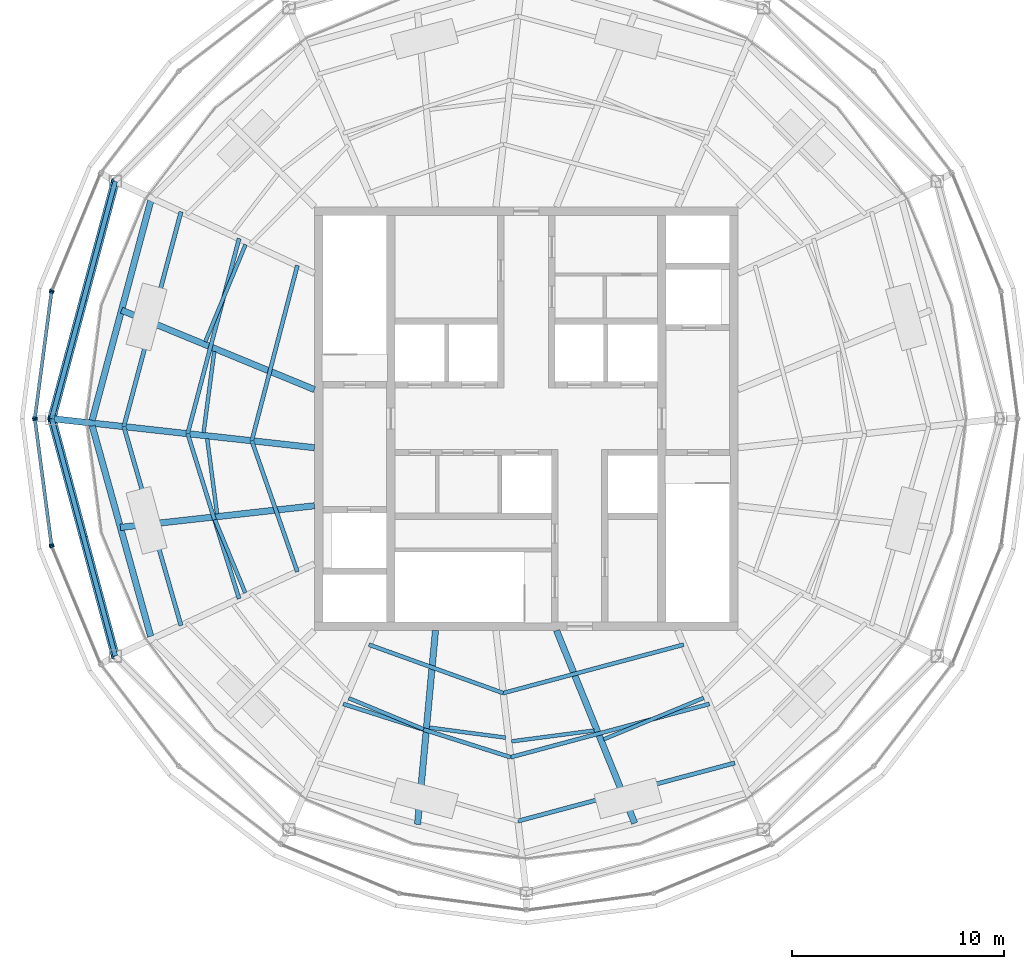
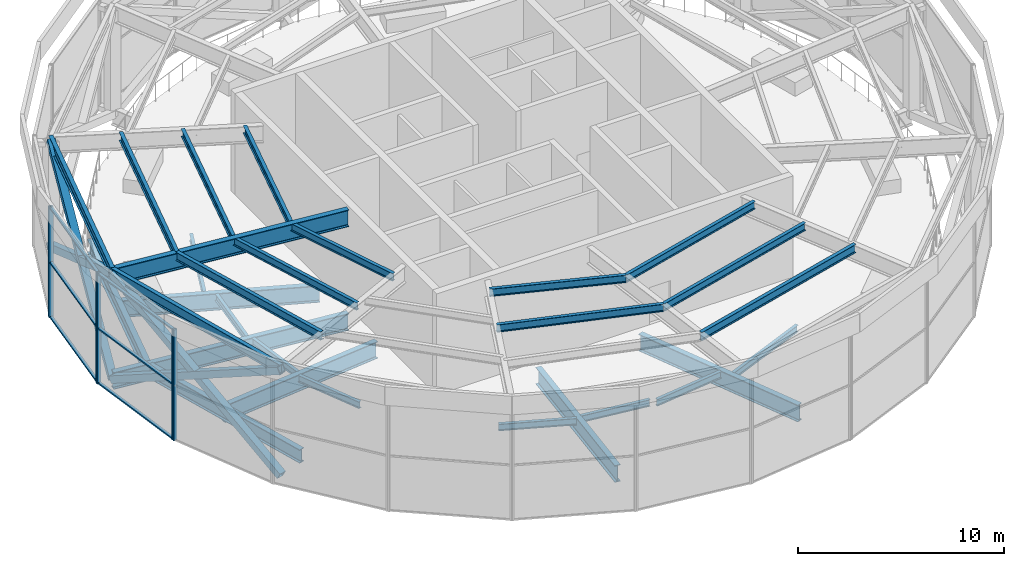
# One storey, part 3 of 13: 27 members, 18 beams, 4 elements without a shape of their own.
"""IFC4 building model written with IfcOpenShell, lengths in metres."""

from ifc_helpers import new_model, si_unit, direction, frame, origin, origin_2d, place, context, subcontext, project, spatial, rectangle, hollow_rectangle, i_section, extrude, material, material_profile, profile_set, type_object, element, aggregate, save


model = new_model("IFC4")

# Units and contexts
model_context = context("Model", 3, precision=1e-05, world=origin(), true_north=direction((0.0, 1.0)))
body_context = subcontext(model_context, "Body", "Model", "MODEL_VIEW")
ifc_project = project(units=[si_unit("LENGTHUNIT", "METRE"), si_unit("AREAUNIT", "SQUARE_METRE"), si_unit("VOLUMEUNIT", "CUBIC_METRE"), si_unit("PLANEANGLEUNIT", "RADIAN"), si_unit("MASSUNIT", "GRAM", prefix="KILO")], contexts=[model_context])

# Site, building, storey
site_placement = place(None, origin())
site = spatial("IfcSite", under=ifc_project, at=site_placement, CompositionType="ELEMENT")
building_placement = place(site_placement, origin())
building = spatial("IfcBuilding", under=site, at=building_placement, Name="Golbaran Civic Tower", CompositionType="ELEMENT")
storey_placement = place(building_placement, frame((0.0, 0.0, 284.0)))
storey = spatial("IfcBuildingStorey", under=building, at=storey_placement, Name="L69", CompositionType="ELEMENT", Elevation=284.0)

# Members
ifc_material_1 = material(Name="Steel S355", Category="steel")
ifc_material_profile_1 = material_profile(ifc_material_1, hollow_rectangle(XDim=0.39990234375, YDim=0.39990234375, WallThickness=0.030029296875, at=origin_2d()), Name="BOX 400x400x30")
ifc_profile_set_1 = profile_set([ifc_material_profile_1], Name="Steel S355")
member_type_1 = type_object("IfcMemberType", Name="CROWN FRAME BRACE BOX 400x400x30", PredefinedType="BRACE", material=ifc_profile_set_1)
for number, where, z_axis, x_axis, name in (
    (1, (-19.39892578125, 11.199951171875, -0.7099609375), (-0.227744086126, -0.849964200377, 0.475072088542), (0.965926716951, -0.258815721085, 0.0), "Crown frame brace 6A"),
    (2, (-22.39990234375, 0.0, -0.7099609375), (0.227744086126, 0.849964200377, 0.475072088542), (-0.965926716951, 0.258815721085, 0.0), "Crown frame brace 6B"),
    (3, (-22.39990234375, 0.0, -0.7099609375), (0.227744086126, -0.849964200377, 0.475072088542), (0.965926716951, 0.258815721085, 0.0), "Crown frame brace 7A"),
    (4, (-19.39892578125, -11.199951171875, -0.7099609375), (-0.227744086126, 0.849964200377, 0.475072088542), (-0.965926716951, -0.258815721085, 0.0), "Crown frame brace 7B"),
):
    element("IfcMember", number, at=place(storey_placement, frame(where, z_axis=z_axis, x_axis=x_axis)), inside=storey, type_object=member_type_1, Name=name, PredefinedType="BRACE", context=body_context, shape_type="SweptSolid", body=[
        extrude(hollow_rectangle(XDim=0.39990234375, YDim=0.39990234375, WallThickness=0.030029296875, at=origin_2d()), origin(), (0.0, 0.0, 1.0), 13.177001953125),
    ])
ifc_material_profile_2 = material_profile(ifc_material_1, i_section(OverallWidth=0.18994140625, OverallDepth=0.449951171875, WebThickness=0.009521484375, FlangeThickness=0.0146484375, FilletRadius=0.02099609375, at=origin_2d()), Name="IPE 450")
ifc_profile_set_2 = profile_set([ifc_material_profile_2], Name="Steel S355")
member_type_2 = type_object("IfcMemberType", Name="CROWN FRAME CANOPY PURLIN IPE 450", PredefinedType="PURLIN", material=ifc_profile_set_2)
member_1_placement = place(storey_placement, frame((-10.8046875, 7.22900390625, 5.625), z_axis=(-0.251884758859, -0.967757236219, 0.0), x_axis=(0.967757236219, -0.251884758859, 0.0)))
element("IfcMember", 5, at=member_1_placement, inside=storey, type_object=member_type_2, Name="Canopy purlin 6-1", PredefinedType="PURLIN", context=body_context, shape_type="SweptSolid", body=[
    extrude(i_section(OverallWidth=0.18994140625, OverallDepth=0.449951171875, WebThickness=0.009521484375, FlangeThickness=0.0146484375, FilletRadius=0.02099609375, at=origin_2d()), origin(), (0.0, 0.0, 1.0), 8.548828125),
])
member_2_placement = place(storey_placement, frame((-13.555419921875, 8.5, 5.625), z_axis=(-0.255024451982, -0.966934604248, 0.0), x_axis=(0.966934604248, -0.255024451982, 0.0)))
element("IfcMember", 6, at=member_2_placement, inside=storey, type_object=member_type_2, Name="Canopy purlin 6-2", PredefinedType="PURLIN", context=body_context, shape_type="SweptSolid", body=[
    extrude(i_section(OverallWidth=0.18994140625, OverallDepth=0.449951171875, WebThickness=0.009521484375, FlangeThickness=0.0146484375, FilletRadius=0.02099609375, at=origin_2d()), origin(), (0.0, 0.0, 1.0), 9.5244140625),
])
member_3_placement = place(storey_placement, frame((-12.9580078125, -1.044189453125, 5.625), z_axis=(0.328804008774, -0.944398180756, 0.0), x_axis=(0.944398180756, 0.328804008774, 0.0)))
element("IfcMember", 7, at=member_3_placement, inside=storey, type_object=member_type_2, Name="Canopy purlin 7-1", PredefinedType="PURLIN", context=body_context, shape_type="SweptSolid", body=[
    extrude(i_section(OverallWidth=0.18994140625, OverallDepth=0.449951171875, WebThickness=0.009521484375, FlangeThickness=0.0146484375, FilletRadius=0.02099609375, at=origin_2d()), origin(), (0.0, 0.0, 1.0), 6.548828125),
])
member_4_placement = place(storey_placement, frame((-15.984375, -0.70947265625, 5.625), z_axis=(0.297651448365, -0.954674612256, 0.0), x_axis=(0.954674612256, 0.297651448365, 0.0)))
element("IfcMember", 8, at=member_4_placement, inside=storey, type_object=member_type_2, Name="Canopy purlin 7-2", PredefinedType="PURLIN", context=body_context, shape_type="SweptSolid", body=[
    extrude(i_section(OverallWidth=0.18994140625, OverallDepth=0.449951171875, WebThickness=0.009521484375, FlangeThickness=0.0146484375, FilletRadius=0.02099609375, at=origin_2d()), origin(), (0.0, 0.0, 1.0), 8.160400390625),
])
member_5_placement = place(storey_placement, frame((-7.4306640625, -10.6669921875, 5.625), z_axis=(0.940696160184, -0.33925025308, 0.0), x_axis=(0.33925025308, 0.940696160184, 0.0)))
element("IfcMember", 9, at=member_5_placement, inside=storey, type_object=member_type_2, Name="Canopy purlin 9-1", PredefinedType="PURLIN", context=body_context, shape_type="SweptSolid", body=[
    extrude(i_section(OverallWidth=0.18994140625, OverallDepth=0.449951171875, WebThickness=0.009521484375, FlangeThickness=0.0146484375, FilletRadius=0.02099609375, at=origin_2d()), origin(), (0.0, 0.0, 1.0), 6.742431640625),
])
member_6_placement = place(storey_placement, frame((-8.639404296875, -13.467041015625, 5.625), z_axis=(0.952849565488, -0.303443084531, 0.0), x_axis=(0.303443084531, 0.952849565488, 0.0)))
element("IfcMember", 10, at=member_6_placement, inside=storey, type_object=member_type_2, Name="Canopy purlin 9-2", PredefinedType="PURLIN", context=body_context, shape_type="SweptSolid", body=[
    extrude(i_section(OverallWidth=0.18994140625, OverallDepth=0.449951171875, WebThickness=0.009521484375, FlangeThickness=0.0146484375, FilletRadius=0.02099609375, at=origin_2d()), origin(), (0.0, 0.0, 1.0), 8.291015625),
])
member_7_placement = place(storey_placement, frame((-1.088134765625, -12.954345703125, 5.625), z_axis=(0.965791116382, 0.259321266999, 0.0), x_axis=(-0.259321266999, 0.965791116382, 0.0)))
element("IfcMember", 11, at=member_7_placement, inside=storey, type_object=member_type_2, Name="Canopy purlin 10-1", PredefinedType="PURLIN", context=body_context, shape_type="SweptSolid", body=[
    extrude(i_section(OverallWidth=0.18994140625, OverallDepth=0.449951171875, WebThickness=0.009521484375, FlangeThickness=0.0146484375, FilletRadius=0.02099609375, at=origin_2d()), origin(), (0.0, 0.0, 1.0), 8.820556640625),
])
member_8_placement = place(storey_placement, frame((-0.7392578125, -15.98291015625, 5.625), z_axis=(0.965852045337, 0.259094242541, 0.0), x_axis=(-0.259094242541, 0.965852045337, 0.0)))
element("IfcMember", 12, at=member_8_placement, inside=storey, type_object=member_type_2, Name="Canopy purlin 10-2", PredefinedType="PURLIN", context=body_context, shape_type="SweptSolid", body=[
    extrude(i_section(OverallWidth=0.18994140625, OverallDepth=0.449951171875, WebThickness=0.009521484375, FlangeThickness=0.0146484375, FilletRadius=0.02099609375, at=origin_2d()), origin(), (0.0, 0.0, 1.0), 9.710205078125),
])
ifc_material_profile_3 = material_profile(ifc_material_1, i_section(OverallWidth=0.199951171875, OverallDepth=0.5, WebThickness=0.01025390625, FlangeThickness=0.01611328125, FilletRadius=0.02099609375, at=origin_2d()), Name="IPE 500")
ifc_profile_set_3 = profile_set([ifc_material_profile_3], Name="Steel S355")
member_type_3 = type_object("IfcMemberType", Name="CROWN FRAME CANOPY PURLIN IPE 500", PredefinedType="PURLIN", material=ifc_profile_set_3)
member_9_placement = place(storey_placement, frame((-16.29736328125, 9.766845703125, 5.60009765625), z_axis=(-0.25713709538, -0.966374934577, 0.0), x_axis=(0.966374934577, -0.25713709538, 0.0)))
element("IfcMember", 13, at=member_9_placement, inside=storey, type_object=member_type_3, Name="Canopy purlin 6-3", PredefinedType="PURLIN", context=body_context, shape_type="SweptSolid", body=[
    extrude(i_section(OverallWidth=0.199951171875, OverallDepth=0.5, WebThickness=0.01025390625, FlangeThickness=0.01611328125, FilletRadius=0.02099609375, at=origin_2d()), origin(), (0.0, 0.0, 1.0), 10.496337890625),
])
member_10_placement = place(storey_placement, frame((-18.996337890625, -0.37646484375, 5.60009765625), z_axis=(0.276235588519, -0.961089953977, 0.0), x_axis=(0.961089953977, 0.276235588519, 0.0)))
element("IfcMember", 14, at=member_10_placement, inside=storey, type_object=member_type_3, Name="Canopy purlin 7-3", PredefinedType="PURLIN", context=body_context, shape_type="SweptSolid", body=[
    extrude(i_section(OverallWidth=0.199951171875, OverallDepth=0.5, WebThickness=0.01025390625, FlangeThickness=0.01611328125, FilletRadius=0.02099609375, at=origin_2d()), origin(), (0.0, 0.0, 1.0), 9.7705078125),
])
member_11_placement = place(storey_placement, frame((-0.39208984375, -18.995849609375, 5.60009765625), z_axis=(0.965896407704, 0.258928811808, 0.0), x_axis=(-0.258928811808, 0.965896407704, 0.0)))
element("IfcMember", 15, at=member_11_placement, inside=storey, type_object=member_type_3, Name="Canopy purlin 10-3", PredefinedType="PURLIN", context=body_context, shape_type="SweptSolid", body=[
    extrude(i_section(OverallWidth=0.199951171875, OverallDepth=0.5, WebThickness=0.01025390625, FlangeThickness=0.01611328125, FilletRadius=0.02099609375, at=origin_2d()), origin(), (0.0, 0.0, 1.0), 10.59521484375),
])

# Beams
ifc_material_profile_4 = material_profile(ifc_material_1, i_section(OverallWidth=0.300048828125, OverallDepth=1.0, WebThickness=0.01904296875, FlangeThickness=0.035888671875, FilletRadius=0.030029296875, at=origin_2d()), Name="HEB 1000")
ifc_profile_set_4 = profile_set([ifc_material_profile_4], Name="Steel S355")
beam_type_1 = type_object("IfcBeamType", Name="CROWN FRAME CANOPY RADIAL BEAM HEB 1000", PredefinedType="BEAM", material=ifc_profile_set_4)
beam_1_placement = place(storey_placement, frame((-10.0, -1.371337890625, 5.35009765625), z_axis=(-0.993940165239, 0.109922463244, 0.0), x_axis=(-0.109922463244, -0.993940165239, 0.0)))
element("IfcBeam", 16, at=beam_1_placement, inside=storey, type_object=beam_type_1, Name="Canopy radial beam 7", PredefinedType="BEAM", context=body_context, shape_type="SweptSolid", body=[
    extrude(i_section(OverallWidth=0.300048828125, OverallDepth=1.0, WebThickness=0.01904296875, FlangeThickness=0.035888671875, FilletRadius=0.030029296875, at=origin_2d()), origin(), (0.0, 0.0, 1.0), 12.4755859375),
])
ifc_material_profile_5 = material_profile(ifc_material_1, i_section(OverallWidth=0.219970703125, OverallDepth=0.60009765625, WebThickness=0.011962890625, FlangeThickness=0.01904296875, FilletRadius=0.02392578125, at=origin_2d()), Name="IPE 600")
ifc_profile_set_5 = profile_set([ifc_material_profile_5], Name="Steel S355")
beam_type_2 = type_object("IfcBeamType", Name="CROWN FRAME CANOPY RING BEAM IPE 600", PredefinedType="BEAM", material=ifc_profile_set_5)
for number, where, z_axis, x_axis, name in (
    (17, (-19.39892578125, 11.199951171875, 5.550048828125), (-0.258815721085, -0.965926716951, 0.0), (0.965926716951, -0.258815721085, 0.0), "Canopy ring beam 6"),
    (18, (-22.39990234375, 0.0, 5.550048828125), (0.258815721085, -0.965926716951, 0.0), (0.965926716951, 0.258815721085, 0.0), "Canopy ring beam 7"),
):
    element("IfcBeam", number, at=place(storey_placement, frame(where, z_axis=z_axis, x_axis=x_axis)), inside=storey, type_object=beam_type_2, Name=name, PredefinedType="BEAM", context=body_context, shape_type="SweptSolid", body=[
        extrude(i_section(OverallWidth=0.219970703125, OverallDepth=0.60009765625, WebThickness=0.011962890625, FlangeThickness=0.01904296875, FilletRadius=0.02392578125, at=origin_2d()), origin(), (0.0, 0.0, 1.0), 11.594970703125),
    ])
ifc_material_profile_6 = material_profile(ifc_material_1, i_section(OverallWidth=0.300048828125, OverallDepth=0.800048828125, WebThickness=0.017578125, FlangeThickness=0.032958984375, FilletRadius=0.030029296875, at=origin_2d()), Name="HEB 800")
ifc_profile_set_6 = profile_set([ifc_material_profile_6], Name="Steel S355")
beam_type_3 = type_object("IfcBeamType", Name="EDGE BEAM HEB 800", PredefinedType="BEAM", material=ifc_profile_set_6)
beam_2_placement = place(storey_placement, frame((-17.725830078125, 10.28369140625, -0.699951171875), z_axis=(-0.257960121844, -0.966155564875, 0.0), x_axis=(0.966155564875, -0.257960121844, 0.0)))
element("IfcBeam", 19, at=beam_2_placement, inside=storey, type_object=beam_type_3, Name="Edge beam 150.00 L69", PredefinedType="BEAM", context=body_context, shape_type="SweptSolid", body=[
    extrude(i_section(OverallWidth=0.300048828125, OverallDepth=0.800048828125, WebThickness=0.017578125, FlangeThickness=0.032958984375, FilletRadius=0.030029296875, at=origin_2d()), origin(), (0.0, 0.0, 1.0), 10.726806640625),
])
beam_3_placement = place(storey_placement, frame((-20.4892578125, -0.342041015625, -0.699951171875), z_axis=(0.267689014056, -0.963505366749, 0.0), x_axis=(0.963505366749, 0.267689014056, 0.0)))
element("IfcBeam", 20, at=beam_3_placement, inside=storey, type_object=beam_type_3, Name="Edge beam 180.00 L69", PredefinedType="BEAM", context=body_context, shape_type="SweptSolid", body=[
    extrude(i_section(OverallWidth=0.300048828125, OverallDepth=0.800048828125, WebThickness=0.017578125, FlangeThickness=0.032958984375, FilletRadius=0.030029296875, at=origin_2d()), origin(), (0.0, 0.0, 1.0), 10.318603515625),
])
ifc_material_profile_7 = material_profile(ifc_material_1, i_section(OverallWidth=0.179931640625, OverallDepth=0.39990234375, WebThickness=0.008544921875, FlangeThickness=0.013427734375, FilletRadius=0.02099609375, at=origin_2d()), Name="IPE 400")
ifc_profile_set_7 = profile_set([ifc_material_profile_7], Name="Steel S355")
beam_type_4 = type_object("IfcBeamType", Name="FLOOR INFILL BEAM IPE 400", PredefinedType="BEAM", material=ifc_profile_set_7)
beam_4_placement = place(storey_placement, frame((-13.252197265625, 8.216552734375, -0.5), z_axis=(-0.382696532812, -0.923874106019, 0.0), x_axis=(0.923874106019, -0.382696532812, 0.0)))
element("IfcBeam", 21, at=beam_4_placement, inside=storey, type_object=beam_type_4, Name="Infill beam 157.50 L69", PredefinedType="BEAM", context=body_context, shape_type="SweptSolid", body=[
    extrude(i_section(OverallWidth=0.179931640625, OverallDepth=0.39990234375, WebThickness=0.008544921875, FlangeThickness=0.013427734375, FilletRadius=0.02099609375, at=origin_2d()), origin(), (0.0, 0.0, 1.0), 4.9619140625),
])
beam_5_placement = place(storey_placement, frame((-14.72802734375, 3.177001953125, -0.5), z_axis=(-0.130519754353, -0.991445708914, 0.0), x_axis=(0.991445708914, -0.130519754353, 0.0)))
element("IfcBeam", 22, at=beam_5_placement, inside=storey, type_object=beam_type_4, Name="Infill beam 172.50 L69", PredefinedType="BEAM", context=body_context, shape_type="SweptSolid", body=[
    extrude(i_section(OverallWidth=0.179931640625, OverallDepth=0.39990234375, WebThickness=0.008544921875, FlangeThickness=0.013427734375, FilletRadius=0.02099609375, at=origin_2d()), origin(), (0.0, 0.0, 1.0), 3.8720703125),
])
beam_6_placement = place(storey_placement, frame((-15.063720703125, -0.942138671875, -0.5), z_axis=(0.130539107774, -0.991443160923, 0.0), x_axis=(0.991443160923, 0.130539107774, 0.0)))
element("IfcBeam", 23, at=beam_6_placement, inside=storey, type_object=beam_type_4, Name="Infill beam 187.50 L69", PredefinedType="BEAM", context=body_context, shape_type="SweptSolid", body=[
    extrude(i_section(OverallWidth=0.179931640625, OverallDepth=0.39990234375, WebThickness=0.008544921875, FlangeThickness=0.013427734375, FilletRadius=0.02099609375, at=origin_2d()), origin(), (0.0, 0.0, 1.0), 3.58349609375),
])
beam_7_placement = place(storey_placement, frame((-14.696533203125, -4.767822265625, -0.5), z_axis=(0.382709282091, -0.923868824781, 0.0), x_axis=(0.923868824781, 0.382709282091, 0.0)))
element("IfcBeam", 24, at=beam_7_placement, inside=storey, type_object=beam_type_4, Name="Infill beam 202.50 L69", PredefinedType="BEAM", context=body_context, shape_type="SweptSolid", body=[
    extrude(i_section(OverallWidth=0.179931640625, OverallDepth=0.39990234375, WebThickness=0.008544921875, FlangeThickness=0.013427734375, FilletRadius=0.02099609375, at=origin_2d()), origin(), (0.0, 0.0, 1.0), 3.739501953125),
])
beam_8_placement = place(storey_placement, frame((-8.380615234375, -13.195556640625, -0.5), z_axis=(0.92387756648, -0.38268817875, 0.0), x_axis=(0.38268817875, 0.92387756648, 0.0)))
element("IfcBeam", 25, at=beam_8_placement, inside=storey, type_object=beam_type_4, Name="Infill beam 247.50 L69", PredefinedType="BEAM", context=body_context, shape_type="SweptSolid", body=[
    extrude(i_section(OverallWidth=0.179931640625, OverallDepth=0.39990234375, WebThickness=0.008544921875, FlangeThickness=0.013427734375, FilletRadius=0.02099609375, at=origin_2d()), origin(), (0.0, 0.0, 1.0), 3.824462890625),
])
beam_9_placement = place(storey_placement, frame((-4.5791015625, -14.584228515625, -0.5), z_axis=(0.99144194185, -0.130548366293, 0.0), x_axis=(0.130548366293, 0.99144194185, 0.0)))
element("IfcBeam", 26, at=beam_9_placement, inside=storey, type_object=beam_type_4, Name="Infill beam 262.50 L69", PredefinedType="BEAM", context=body_context, shape_type="SweptSolid", body=[
    extrude(i_section(OverallWidth=0.179931640625, OverallDepth=0.39990234375, WebThickness=0.008544921875, FlangeThickness=0.013427734375, FilletRadius=0.02099609375, at=origin_2d()), origin(), (0.0, 0.0, 1.0), 3.633544921875),
])
beam_10_placement = place(storey_placement, frame((-0.694580078125, -15.235107421875, -0.5), z_axis=(0.991442453905, 0.130544477456, 0.0), x_axis=(-0.130544477456, 0.991442453905, 0.0)))
element("IfcBeam", 27, at=beam_10_placement, inside=storey, type_object=beam_type_4, Name="Infill beam 277.50 L69", PredefinedType="BEAM", context=body_context, shape_type="SweptSolid", body=[
    extrude(i_section(OverallWidth=0.179931640625, OverallDepth=0.39990234375, WebThickness=0.008544921875, FlangeThickness=0.013427734375, FilletRadius=0.02099609375, at=origin_2d()), origin(), (0.0, 0.0, 1.0), 3.93115234375),
])
beam_11_placement = place(storey_placement, frame((3.65185546875, -15.137451171875, -0.5), z_axis=(0.923888771461, 0.382661126806, 0.0), x_axis=(-0.382661126806, 0.923888771461, 0.0)))
element("IfcBeam", 28, at=beam_11_placement, inside=storey, type_object=beam_type_4, Name="Infill beam 292.50 L69", PredefinedType="BEAM", context=body_context, shape_type="SweptSolid", body=[
    extrude(i_section(OverallWidth=0.179931640625, OverallDepth=0.39990234375, WebThickness=0.008544921875, FlangeThickness=0.013427734375, FilletRadius=0.02099609375, at=origin_2d()), origin(), (0.0, 0.0, 1.0), 5.11181640625),
])

# Curtain wall, member
ifc_material_2 = material(Name="Aluminium and glass", Category="aluminium")
curtain_wall_type = type_object("IfcCurtainWallType", Name="OUTER SKIN TERRACOTTA SCREEN", PredefinedType="NOTDEFINED", material=ifc_material_2)
curtain_wall_1_placement = place(storey_placement, origin())
curtain_wall_1 = element("IfcCurtainWall", 29, at=curtain_wall_1_placement, inside=storey, type_object=curtain_wall_type, Name="Crown screen L69 facet 11 CW3", ObjectType="OUTER SKIN", PredefinedType="USERDEFINED")
ifc_material_3 = material(Name="Aluminium", Category="aluminium")
ifc_material_profile_8 = material_profile(ifc_material_3, rectangle(XDim=0.219970703125, YDim=0.080078125, at=origin_2d()), Name="OUTER SKIN TERRACOTTA SCREEN MULLION")
ifc_profile_set_8 = profile_set([ifc_material_profile_8], Name="Aluminium")
member_type_4 = type_object("IfcMemberType", Name="OUTER SKIN TERRACOTTA SCREEN MULLION", PredefinedType="MULLION", material=ifc_profile_set_8)
member_12_placement = place(storey_placement, frame((-22.394287109375, 6.04150390625, -0.7099609375), z_axis=(0.0, 0.0, 1.0), x_axis=(0.923879532525, -0.382683432333, 0.0)))
member_12 = element("IfcMember", 30, at=member_12_placement, type_object=member_type_4, Name="CW3 mullion 2", PredefinedType="MULLION", context=body_context, shape_type="SweptSolid", body=[
    extrude(rectangle(XDim=0.219970703125, YDim=0.080078125, at=origin_2d()), origin(), (0.0, 0.0, 1.0), 6.56005859375),
])
aggregate(curtain_wall_1, [member_12])

# Curtain wall, members
curtain_wall_2_placement = place(storey_placement, origin())
curtain_wall_2 = element("IfcCurtainWall", 31, at=curtain_wall_2_placement, inside=storey, type_object=curtain_wall_type, Name="Crown screen L69 facet 12 CW3", ObjectType="OUTER SKIN", PredefinedType="USERDEFINED")
member_13_placement = place(storey_placement, frame((-22.414794921875, 5.96484375, -0.7099609375), z_axis=(0.0, 0.0, 1.0), x_axis=(0.991444861374, -0.13052619222, 0.0)))
member_13 = element("IfcMember", 32, at=member_13_placement, type_object=member_type_4, Name="CW3 mullion 1", PredefinedType="MULLION", context=body_context, shape_type="SweptSolid", body=[
    extrude(rectangle(XDim=0.219970703125, YDim=0.080078125, at=origin_2d()), origin(), (0.0, 0.0, 1.0), 6.56005859375),
])
member_14_placement = place(storey_placement, frame((-23.19482421875, 0.03955078125, -0.7099609375), z_axis=(0.0, 0.0, 1.0), x_axis=(0.991444861374, -0.13052619222, 0.0)))
member_14 = element("IfcMember", 33, at=member_14_placement, type_object=member_type_4, Name="CW3 mullion 2", PredefinedType="MULLION", context=body_context, shape_type="SweptSolid", body=[
    extrude(rectangle(XDim=0.219970703125, YDim=0.080078125, at=origin_2d()), origin(), (0.0, 0.0, 1.0), 6.56005859375),
])

curtain_wall_3_placement = place(storey_placement, origin())
curtain_wall_3 = element("IfcCurtainWall", 34, at=curtain_wall_3_placement, inside=storey, type_object=curtain_wall_type, Name="Crown screen L69 facet 13 CW3", ObjectType="OUTER SKIN", PredefinedType="USERDEFINED")
member_15_placement = place(storey_placement, frame((-23.19482421875, -0.03955078125, -0.7099609375), z_axis=(0.0, 0.0, 1.0), x_axis=(0.991444861374, 0.13052619222, 0.0)))
member_15 = element("IfcMember", 35, at=member_15_placement, type_object=member_type_4, Name="CW3 mullion 1", PredefinedType="MULLION", context=body_context, shape_type="SweptSolid", body=[
    extrude(rectangle(XDim=0.219970703125, YDim=0.080078125, at=origin_2d()), origin(), (0.0, 0.0, 1.0), 6.56005859375),
])
member_16_placement = place(storey_placement, frame((-22.414794921875, -5.96484375, -0.7099609375), z_axis=(0.0, 0.0, 1.0), x_axis=(0.991444861374, 0.13052619222, 0.0)))
member_16 = element("IfcMember", 36, at=member_16_placement, type_object=member_type_4, Name="CW3 mullion 2", PredefinedType="MULLION", context=body_context, shape_type="SweptSolid", body=[
    extrude(rectangle(XDim=0.219970703125, YDim=0.080078125, at=origin_2d()), origin(), (0.0, 0.0, 1.0), 6.56005859375),
])

# Curtain wall, member
curtain_wall_4_placement = place(storey_placement, origin())
curtain_wall_4 = element("IfcCurtainWall", 37, at=curtain_wall_4_placement, inside=storey, type_object=curtain_wall_type, Name="Crown screen L69 facet 14 CW3", ObjectType="OUTER SKIN", PredefinedType="USERDEFINED")
member_17_placement = place(storey_placement, frame((-22.394287109375, -6.04150390625, -0.7099609375), z_axis=(0.0, 0.0, 1.0), x_axis=(0.923879532525, 0.382683432333, 0.0)))
member_17 = element("IfcMember", 38, at=member_17_placement, type_object=member_type_4, Name="CW3 mullion 1", PredefinedType="MULLION", context=body_context, shape_type="SweptSolid", body=[
    extrude(rectangle(XDim=0.219970703125, YDim=0.080078125, at=origin_2d()), origin(), (0.0, 0.0, 1.0), 6.56005859375),
])
aggregate(curtain_wall_4, [member_17])

# Member
ifc_material_profile_9 = material_profile(ifc_material_3, rectangle(XDim=0.159912109375, YDim=0.080078125, at=origin_2d()), Name="OUTER SKIN TERRACOTTA SCREEN TRANSOM")
ifc_profile_set_9 = profile_set([ifc_material_profile_9], Name="Aluminium")
member_type_5 = type_object("IfcMemberType", Name="OUTER SKIN TERRACOTTA SCREEN TRANSOM", PredefinedType="USERDEFINED", material=ifc_profile_set_9)
member_18_placement = place(storey_placement, frame((-22.419921875, 5.92529296875, -0.669921875), z_axis=(-0.130509136774, -0.991447106617, 0.0), x_axis=(0.991447106617, -0.130509136774, 0.0)))
member_18 = element("IfcMember", 39, at=member_18_placement, type_object=member_type_5, Name="CW3 transom 1.1", ObjectType="TRANSOM", PredefinedType="USERDEFINED", context=body_context, shape_type="SweptSolid", body=[
    extrude(rectangle(XDim=0.159912109375, YDim=0.080078125, at=origin_2d()), origin(), (0.0, 0.0, 1.0), 5.896484375),
])

member_19_placement = place(storey_placement, frame((-22.419921875, 5.92529296875, 2.570068359375), z_axis=(-0.130509136774, -0.991447106617, 0.0), x_axis=(0.991447106617, -0.130509136774, 0.0)))
member_19 = element("IfcMember", 40, at=member_19_placement, type_object=member_type_5, Name="CW3 transom 1.2", ObjectType="TRANSOM", PredefinedType="USERDEFINED", context=body_context, shape_type="SweptSolid", body=[
    extrude(rectangle(XDim=0.159912109375, YDim=0.080078125, at=origin_2d()), origin(), (0.0, 0.0, 1.0), 5.896484375),
])

member_20_placement = place(storey_placement, frame((-22.419921875, 5.92529296875, 5.81005859375), z_axis=(-0.130509136774, -0.991447106617, 0.0), x_axis=(0.991447106617, -0.130509136774, 0.0)))
member_20 = element("IfcMember", 41, at=member_20_placement, type_object=member_type_5, Name="CW3 transom 1.3", ObjectType="TRANSOM", PredefinedType="USERDEFINED", context=body_context, shape_type="SweptSolid", body=[
    extrude(rectangle(XDim=0.159912109375, YDim=0.080078125, at=origin_2d()), origin(), (0.0, 0.0, 1.0), 5.896484375),
])

aggregate(curtain_wall_2, [member_13, member_14, member_18, member_19, member_20])

member_21_placement = place(storey_placement, frame((-23.189453125, -0.079345703125, -0.669921875), z_axis=(0.130509136774, -0.991447106617, 0.0), x_axis=(0.991447106617, 0.130509136774, 0.0)))
member_21 = element("IfcMember", 42, at=member_21_placement, type_object=member_type_5, Name="CW3 transom 1.1", ObjectType="TRANSOM", PredefinedType="USERDEFINED", context=body_context, shape_type="SweptSolid", body=[
    extrude(rectangle(XDim=0.159912109375, YDim=0.080078125, at=origin_2d()), origin(), (0.0, 0.0, 1.0), 5.896484375),
])

member_22_placement = place(storey_placement, frame((-23.189453125, -0.079345703125, 2.570068359375), z_axis=(0.130509136774, -0.991447106617, 0.0), x_axis=(0.991447106617, 0.130509136774, 0.0)))
member_22 = element("IfcMember", 43, at=member_22_placement, type_object=member_type_5, Name="CW3 transom 1.2", ObjectType="TRANSOM", PredefinedType="USERDEFINED", context=body_context, shape_type="SweptSolid", body=[
    extrude(rectangle(XDim=0.159912109375, YDim=0.080078125, at=origin_2d()), origin(), (0.0, 0.0, 1.0), 5.896484375),
])

member_23_placement = place(storey_placement, frame((-23.189453125, -0.079345703125, 5.81005859375), z_axis=(0.130509136774, -0.991447106617, 0.0), x_axis=(0.991447106617, 0.130509136774, 0.0)))
member_23 = element("IfcMember", 44, at=member_23_placement, type_object=member_type_5, Name="CW3 transom 1.3", ObjectType="TRANSOM", PredefinedType="USERDEFINED", context=body_context, shape_type="SweptSolid", body=[
    extrude(rectangle(XDim=0.159912109375, YDim=0.080078125, at=origin_2d()), origin(), (0.0, 0.0, 1.0), 5.896484375),
])

aggregate(curtain_wall_3, [member_15, member_16, member_21, member_22, member_23])

# Beams
ifc_material_profile_10 = material_profile(ifc_material_1, i_section(OverallWidth=0.300048828125, OverallDepth=1.0, WebThickness=0.01904296875, FlangeThickness=0.035888671875, FilletRadius=0.030029296875, at=origin_2d()), Name="HEB 1000")
ifc_profile_set_10 = profile_set([ifc_material_profile_10], Name="Steel S355")
beam_type_5 = type_object("IfcBeamType", Name="RADIAL FLOOR BEAM HEB 1000", PredefinedType="BEAM", material=ifc_profile_set_10)
beam_12_placement = place(storey_placement, frame((-10.0, -1.371337890625, -0.800048828125), z_axis=(-0.993940165239, 0.109922463244, 0.0), x_axis=(-0.109922463244, -0.993940165239, 0.0)))
element("IfcBeam", 45, at=beam_12_placement, inside=storey, type_object=beam_type_5, Name="Radial beam 180.00 L69", PredefinedType="BEAM", context=body_context, shape_type="SweptSolid", body=[
    extrude(i_section(OverallWidth=0.300048828125, OverallDepth=1.0, WebThickness=0.01904296875, FlangeThickness=0.035888671875, FilletRadius=0.030029296875, at=origin_2d()), origin(), (0.0, 0.0, 1.0), 12.4755859375),
])
ifc_material_profile_11 = material_profile(ifc_material_1, i_section(OverallWidth=0.300048828125, OverallDepth=1.0, WebThickness=0.01904296875, FlangeThickness=0.035888671875, FilletRadius=0.030029296875, at=origin_2d()), Name="HEB 1000")
ifc_profile_set_11 = profile_set([ifc_material_profile_11], Name="Steel S355")
beam_type_6 = type_object("IfcBeamType", Name="SECONDARY FLOOR BEAM HEB 1000", PredefinedType="BEAM", material=ifc_profile_set_11)
beam_13_placement = place(storey_placement, frame((-10.0, 1.371337890625, -0.800048828125), z_axis=(-0.924721228964, 0.380645042926, 0.0), x_axis=(-0.380645042926, -0.924721228964, 0.0)))
element("IfcBeam", 46, at=beam_13_placement, inside=storey, type_object=beam_type_6, Name="Secondary beam 165.00 L69", PredefinedType="BEAM", context=body_context, shape_type="SweptSolid", body=[
    extrude(i_section(OverallWidth=0.300048828125, OverallDepth=1.0, WebThickness=0.01904296875, FlangeThickness=0.035888671875, FilletRadius=0.030029296875, at=origin_2d()), origin(), (0.0, 0.0, 1.0), 9.845947265625),
])
beam_14_placement = place(storey_placement, frame((-10.0, -4.1142578125, -0.800048828125), z_axis=(-0.993866274591, -0.1105885538, 0.0), x_axis=(0.1105885538, -0.993866274591, 0.0)))
element("IfcBeam", 47, at=beam_14_placement, inside=storey, type_object=beam_type_6, Name="Secondary beam 195.00 L69", PredefinedType="BEAM", context=body_context, shape_type="SweptSolid", body=[
    extrude(i_section(OverallWidth=0.300048828125, OverallDepth=1.0, WebThickness=0.01904296875, FlangeThickness=0.035888671875, FilletRadius=0.030029296875, at=origin_2d()), origin(), (0.0, 0.0, 1.0), 9.21484375),
])
beam_15_placement = place(storey_placement, frame((-4.28564453125, -10.0, -0.800048828125), z_axis=(-0.092077762715, -0.995751819287, 0.0), x_axis=(0.995751819287, -0.092077762715, 0.0)))
element("IfcBeam", 48, at=beam_15_placement, inside=storey, type_object=beam_type_6, Name="Secondary beam 255.00 L69", PredefinedType="BEAM", context=body_context, shape_type="SweptSolid", body=[
    extrude(i_section(OverallWidth=0.300048828125, OverallDepth=1.0, WebThickness=0.01904296875, FlangeThickness=0.035888671875, FilletRadius=0.030029296875, at=origin_2d()), origin(), (0.0, 0.0, 1.0), 9.192626953125),
])
beam_16_placement = place(storey_placement, frame((1.428466796875, -10.0, -0.800048828125), z_axis=(0.375755908463, -0.92671867212, 0.0), x_axis=(0.92671867212, 0.375755908463, 0.0)))
element("IfcBeam", 49, at=beam_16_placement, inside=storey, type_object=beam_type_6, Name="Secondary beam 285.00 L69", PredefinedType="BEAM", context=body_context, shape_type="SweptSolid", body=[
    extrude(i_section(OverallWidth=0.300048828125, OverallDepth=1.0, WebThickness=0.01904296875, FlangeThickness=0.035888671875, FilletRadius=0.030029296875, at=origin_2d()), origin(), (0.0, 0.0, 1.0), 9.81689453125),
])

save(model, "model.ifc")
